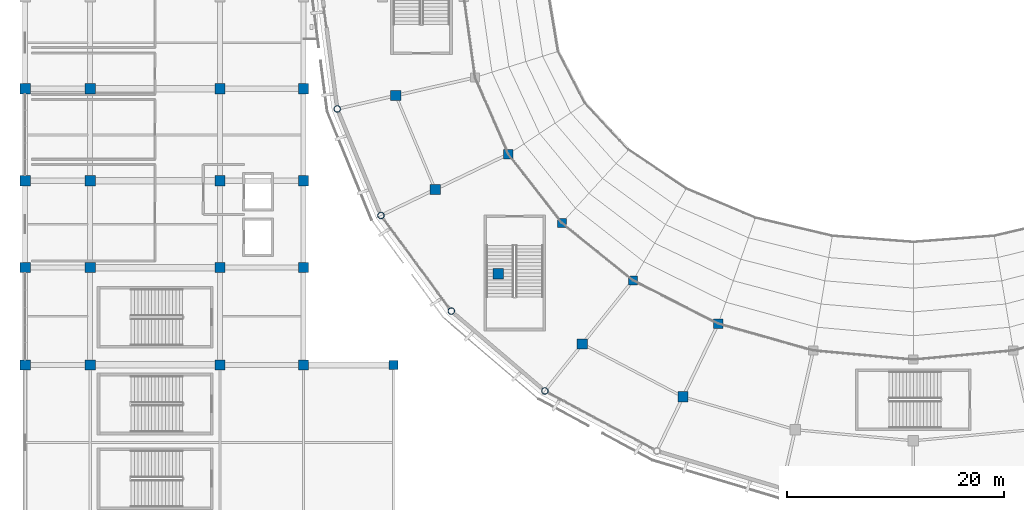
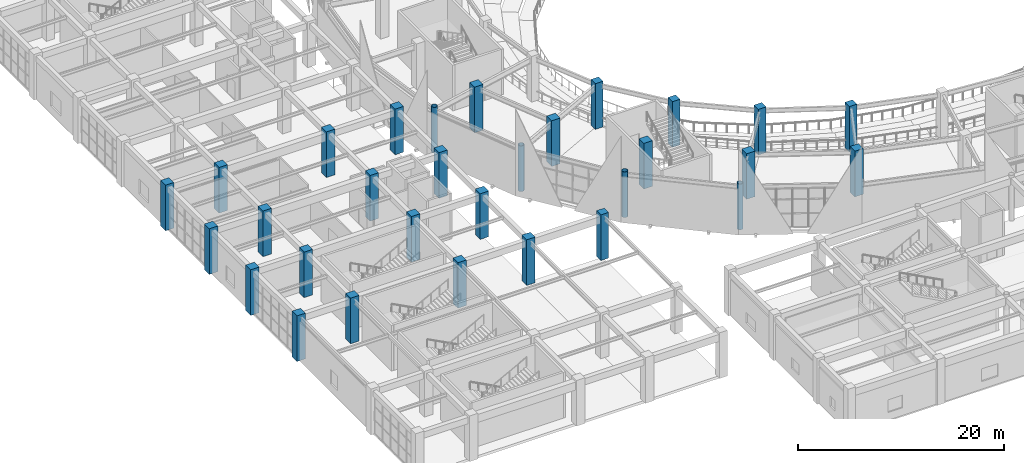
# One storey, part 3 of 120: 30 columns.
"""IFC4 building model written with IfcOpenShell, lengths in metres."""

from ifc_helpers import new_model, si_unit, direction, frame, origin, origin_2d, place, context, subcontext, project, spatial, rectangle, hollow_circle, extrude, material, material_profile, profile_set, type_object, element, save


model = new_model("IFC4")

# Units and contexts
model_context = context("Model", 3, precision=1e-05, world=origin(), true_north=direction((0.0, 1.0)))
body_context = subcontext(model_context, "Body", "Model", "MODEL_VIEW")
ifc_project = project(units=[si_unit("LENGTHUNIT", "METRE"), si_unit("AREAUNIT", "SQUARE_METRE"), si_unit("VOLUMEUNIT", "CUBIC_METRE"), si_unit("PLANEANGLEUNIT", "RADIAN"), si_unit("MASSUNIT", "GRAM", prefix="KILO")], contexts=[model_context])

# Site, building, storey
site_placement = place(None, origin())
site = spatial("IfcSite", under=ifc_project, at=site_placement, CompositionType="ELEMENT")
building_placement = place(site_placement, origin())
building = spatial("IfcBuilding", under=site, at=building_placement, Name="Cuetzalor Civic Arena", CompositionType="ELEMENT")
storey_placement = place(building_placement, frame((0.0, 0.0, 6.0)))
storey = spatial("IfcBuildingStorey", under=building, at=storey_placement, Name="L01", CompositionType="ELEMENT", Elevation=6.0)

# Columns
ifc_material_1 = material(Name="Concrete C40/50", Category="concrete")
ifc_material_profile_1 = material_profile(ifc_material_1, rectangle(XDim=0.85009765625, YDim=0.85009765625, at=origin_2d()), Name="RC 850x850")
ifc_profile_set_1 = profile_set([ifc_material_profile_1], Name="Concrete C40/50")
column_type_1 = type_object("IfcColumnType", Name="ConcreteColumn_850", PredefinedType="COLUMN", material=ifc_profile_set_1)
for number, where, z_axis, x_axis, name in (
    (1, (-37.39013671875, -14.53515625, 0.0), (0.0, 0.0, 1.0), (1.0, 0.0, 0.0), "Column V1-MID-17 L01"),
    (2, (-32.446044921875, -20.886962890625, 0.0), (0.0, 0.0, 1.0), (1.0, 0.0, 0.0), "Column V1-MID-18 L01"),
    (3, (-25.874755859375, -26.19140625, 0.0), (0.0, 0.0, 1.0), (1.0, 0.0, 0.0), "Column V1-MID-19 L01"),
    (4, (-18.006103515625, -30.1826171875, 0.0), (0.0, 0.0, 1.0), (1.0, 0.0, 0.0), "Column V1-MID-20 L01"),
    (5, (-48.0, -34.0, 0.0), (0.0, 0.0, 1.0), (1.0, 0.0, 0.0), "Column V4W-RET-03 L01"),
):
    element("IfcColumn", number, at=place(storey_placement, frame(where, z_axis=z_axis, x_axis=x_axis)), inside=storey, type_object=column_type_1, Name=name, PredefinedType="COLUMN", context=body_context, shape_type="SweptSolid", body=[
        extrude(rectangle(XDim=0.85009765625, YDim=0.85009765625, at=origin_2d()), origin(), (0.0, 0.0, 1.0), 5.39990234375),
    ])
ifc_material_2 = material(Name="Concrete C40/50", Category="concrete")
ifc_material_profile_2 = material_profile(ifc_material_2, rectangle(XDim=0.949951171875, YDim=0.949951171875, at=origin_2d()), Name="RC 950x950")
ifc_profile_set_2 = profile_set([ifc_material_profile_2], Name="Concrete C40/50")
column_type_2 = type_object("IfcColumnType", Name="ConcreteColumn_950", PredefinedType="COLUMN", material=ifc_profile_set_2)
for number, where, z_axis, x_axis, name in (
    (6, (-47.771484375, -9.123291015625, 0.0), (0.0, 0.0, 1.0), (1.0, 0.0, 0.0), "Column V1-REC-16 L01"),
    (7, (-44.1474609375, -17.789306640625, 0.0), (0.0, 0.0, 1.0), (1.0, 0.0, 0.0), "Column V1-REC-17 L01"),
    (8, (-38.309814453125, -25.56298828125, 0.0), (0.0, 0.0, 1.0), (1.0, 0.0, 0.0), "Column V1-REC-18 L01"),
    (9, (-30.551025390625, -32.05517578125, 0.0), (0.0, 0.0, 1.0), (1.0, 0.0, 0.0), "Column V1-REC-19 L01"),
    (10, (-21.26025390625, -36.939697265625, 0.0), (0.0, 0.0, 1.0), (1.0, 0.0, 0.0), "Column V1-REC-20 L01"),
    (11, (-82.0, -34.0, 0.0), (0.0, 0.0, 1.0), (1.0, 0.0, 0.0), "Column V4W-C-01-03 L01"),
    (12, (-82.0, -25.0, 0.0), (0.0, 0.0, 1.0), (1.0, 0.0, 0.0), "Column V4W-C-01-04 L01"),
    (13, (-82.0, -17.0, 0.0), (0.0, 0.0, 1.0), (1.0, 0.0, 0.0), "Column V4W-C-01-05 L01"),
    (14, (-82.0, -8.5, 0.0), (0.0, 0.0, 1.0), (1.0, 0.0, 0.0), "Column V4W-C-01-06 L01"),
    (15, (-76.0, -34.0, 0.0), (0.0, 0.0, 1.0), (1.0, 0.0, 0.0), "Column V4W-C-02-03 L01"),
    (16, (-76.0, -25.0, 0.0), (0.0, 0.0, 1.0), (1.0, 0.0, 0.0), "Column V4W-C-02-04 L01"),
    (17, (-76.0, -17.0, 0.0), (0.0, 0.0, 1.0), (1.0, 0.0, 0.0), "Column V4W-C-02-05 L01"),
    (18, (-76.0, -8.5, 0.0), (0.0, 0.0, 1.0), (1.0, 0.0, 0.0), "Column V4W-C-02-06 L01"),
    (19, (-64.0, -34.0, 0.0), (0.0, 0.0, 1.0), (1.0, 0.0, 0.0), "Column V4W-C-03-03 L01"),
    (20, (-64.0, -25.0, 0.0), (0.0, 0.0, 1.0), (1.0, 0.0, 0.0), "Column V4W-C-03-04 L01"),
    (21, (-64.0, -17.0, 0.0), (0.0, 0.0, 1.0), (1.0, 0.0, 0.0), "Column V4W-C-03-05 L01"),
    (22, (-64.0, -8.5, 0.0), (0.0, 0.0, 1.0), (1.0, 0.0, 0.0), "Column V4W-C-03-06 L01"),
    (23, (-56.300048828125, -34.0, 0.0), (0.0, 0.0, 1.0), (1.0, 0.0, 0.0), "Column V4W-C-04-03 L01"),
    (24, (-56.300048828125, -25.0, 0.0), (0.0, 0.0, 1.0), (1.0, 0.0, 0.0), "Column V4W-C-04-04 L01"),
    (25, (-56.300048828125, -17.0, 0.0), (0.0, 0.0, 1.0), (1.0, 0.0, 0.0), "Column V4W-C-04-05 L01"),
    (26, (-56.300048828125, -8.5, 0.0), (0.0, 0.0, 1.0), (1.0, 0.0, 0.0), "Column V4W-C-04-06 L01"),
):
    element("IfcColumn", number, at=place(storey_placement, frame(where, z_axis=z_axis, x_axis=x_axis)), inside=storey, type_object=column_type_2, Name=name, PredefinedType="COLUMN", context=body_context, shape_type="SweptSolid", body=[
        extrude(rectangle(XDim=0.949951171875, YDim=0.949951171875, at=origin_2d()), origin(), (0.0, 0.0, 1.0), 5.39990234375),
    ])
ifc_material_3 = material(Name="Steel S355", Category="steel")
ifc_material_profile_3 = material_profile(ifc_material_3, hollow_circle(Radius=0.304931640625, WallThickness=0.02490234375, at=origin_2d()), Name="CHS 610x25")
ifc_profile_set_3 = profile_set([ifc_material_profile_3], Name="Steel S355")
column_type_3 = type_object("IfcColumnType", Name="SteelDomePylon_CHS610", PredefinedType="COLUMN", material=ifc_profile_set_3)
for number, where, z_axis, x_axis, name in (
    (27, (-53.182373046875, -10.3583984375, 0.0), (0.0, 0.0, 1.0), (1.0, 0.0, 0.0), "Column V1-PYL-16 L01"),
    (28, (-49.14794921875, -20.197265625, 0.0), (0.0, 0.0, 1.0), (1.0, 0.0, 0.0), "Column V1-PYL-17 L01"),
    (29, (-42.64892578125, -29.0234375, 0.0), (0.0, 0.0, 1.0), (1.0, 0.0, 0.0), "Column V1-PYL-18 L01"),
    (30, (-34.011474609375, -36.394287109375, 0.0), (0.0, 0.0, 1.0), (1.0, 0.0, 0.0), "Column V1-PYL-19 L01"),
):
    element("IfcColumn", number, at=place(storey_placement, frame(where, z_axis=z_axis, x_axis=x_axis)), inside=storey, type_object=column_type_3, Name=name, PredefinedType="COLUMN", context=body_context, shape_type="SweptSolid", body=[
        extrude(hollow_circle(Radius=0.304931640625, WallThickness=0.02490234375, at=origin_2d()), origin(), (0.0, 0.0, 1.0), 5.39990234375),
    ])

save(model, "model.ifc")
